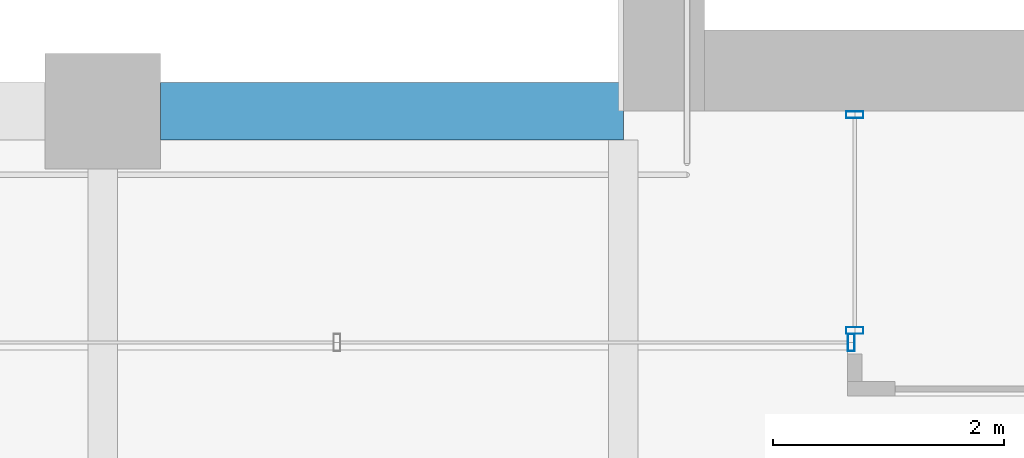
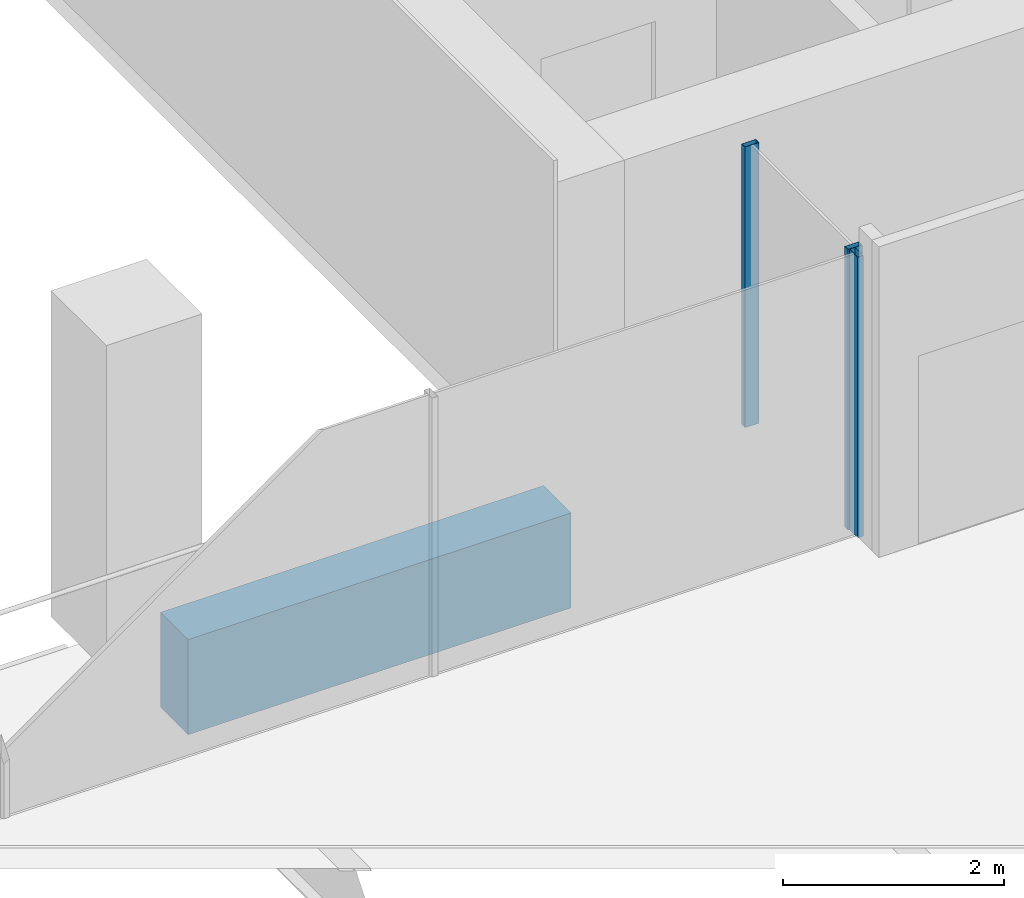
# One storey, part 6 of 46: 3 members, 1 beam, 2 elements without a shape of their own.
"""IFC4 building model written with IfcOpenShell, lengths in metres."""

from ifc_helpers import new_model, si_unit, direction, frame, origin, origin_2d, place, context, subcontext, project, spatial, rectangle, hollow_rectangle, extrude, material, material_profile, profile_set, type_object, element, aggregate, save


model = new_model("IFC4")

# Units and contexts
model_context = context("Model", 3, precision=1e-05, world=origin(), true_north=direction((0.0, 1.0)))
body_context = subcontext(model_context, "Body", "Model", "MODEL_VIEW")
ifc_project = project(units=[si_unit("LENGTHUNIT", "METRE"), si_unit("AREAUNIT", "SQUARE_METRE"), si_unit("VOLUMEUNIT", "CUBIC_METRE"), si_unit("PLANEANGLEUNIT", "RADIAN"), si_unit("MASSUNIT", "GRAM", prefix="KILO")], contexts=[model_context])

# Site, building, storey
site_placement = place(None, origin())
site = spatial("IfcSite", under=ifc_project, at=site_placement, CompositionType="ELEMENT")
building_placement = place(site_placement, origin())
building = spatial("IfcBuilding", under=site, at=building_placement, Name="Altepetl Exchange Towers", CompositionType="ELEMENT")
storey_placement = place(building_placement, frame((0.0, 0.0, 120.800048828125)))
storey = spatial("IfcBuildingStorey", under=building, at=storey_placement, Name="L29", CompositionType="ELEMENT", Elevation=120.800048828125)

# Curtain wall, members
ifc_material_1 = material(Name="Aluminium 6063-T6 glazing", Category="aluminium")
curtain_wall_type = type_object("IfcCurtainWallType", Name="Loggia glazing system", PredefinedType="NOTDEFINED", material=ifc_material_1)
curtain_wall_1_placement = place(storey_placement, origin())
curtain_wall_1 = element("IfcCurtainWall", 1, at=curtain_wall_1_placement, inside=storey, type_object=curtain_wall_type, Name="CW1 run", PredefinedType="NOTDEFINED")
ifc_material_2 = material(Name="Aluminium 6063-T6", Category="aluminium")
ifc_material_profile_1 = material_profile(ifc_material_2, hollow_rectangle(XDim=0.06005859375, YDim=0.14990234375, WallThickness=0.0029296875, at=origin_2d()), Name="Mullion 60x150 aluminium")
ifc_profile_set_1 = profile_set([ifc_material_profile_1], Name="Aluminium 6063-T6")
member_type = type_object("IfcMemberType", Name="Mullion 60x150 aluminium", PredefinedType="MULLION", material=ifc_profile_set_1)
member_1_placement = place(storey_placement, frame((42.5, 40.469970703125, 0.0), z_axis=(0.0, 0.0, 1.0), x_axis=(0.0, -1.0, 0.0)))
member_1 = element("IfcMember", 2, at=member_1_placement, type_object=member_type, Name="MU1 mullion", PredefinedType="MULLION", context=body_context, shape_type="SweptSolid", body=[
    extrude(hollow_rectangle(XDim=0.06005859375, YDim=0.14990234375, WallThickness=0.0029296875, at=origin_2d()), origin(), (0.0, 0.0, 1.0), 3.099853515625),
])
member_2_placement = place(storey_placement, frame((42.5, 38.60498046875, 0.0), z_axis=(0.0, 0.0, 1.0), x_axis=(0.0, -1.0, 0.0)))
member_2 = element("IfcMember", 3, at=member_2_placement, type_object=member_type, Name="MU1 mullion", PredefinedType="MULLION", context=body_context, shape_type="SweptSolid", body=[
    extrude(hollow_rectangle(XDim=0.06005859375, YDim=0.14990234375, WallThickness=0.0029296875, at=origin_2d()), origin(), (0.0, 0.0, 1.0), 3.099853515625),
])
aggregate(curtain_wall_1, [member_1, member_2])

# Curtain wall, member
curtain_wall_2_placement = place(storey_placement, origin())
curtain_wall_2 = element("IfcCurtainWall", 4, at=curtain_wall_2_placement, inside=storey, type_object=curtain_wall_type, Name="CW1 run", PredefinedType="NOTDEFINED")
member_3_placement = place(storey_placement, frame((42.469970703125, 38.5, 0.0), z_axis=(0.0, 0.0, 1.0), x_axis=(-1.0, 0.0, 0.0)))
member_3 = element("IfcMember", 5, at=member_3_placement, type_object=member_type, Name="MU1 mullion", PredefinedType="MULLION", context=body_context, shape_type="SweptSolid", body=[
    extrude(hollow_rectangle(XDim=0.06005859375, YDim=0.14990234375, WallThickness=0.0029296875, at=origin_2d()), origin(), (0.0, 0.0, 1.0), 3.099853515625),
])
aggregate(curtain_wall_2, [member_3])

# Beam
ifc_material_3 = material(Name="Concrete C50/60 precast with tezontle facing", Category="concrete")
ifc_material_profile_2 = material_profile(ifc_material_3, rectangle(XDim=0.5, YDim=1.050048828125, at=origin_2d()), Name="500 x 1050")
ifc_profile_set_2 = profile_set([ifc_material_profile_2], Name="Concrete C50/60 precast with tezontle facing")
beam_type = type_object("IfcBeamType", Name="Spandrel beam 500x1050 tezontle", PredefinedType="SPANDREL", material=ifc_profile_set_2)
beam_placement = place(storey_placement, frame((40.5, 40.5, -0.675048828125), z_axis=(-1.0, 0.0, 0.0), x_axis=(0.0, -1.0, 0.0)))
element("IfcBeam", 6, at=beam_placement, inside=storey, type_object=beam_type, Name="sp:A:L29:033", PredefinedType="SPANDREL", context=body_context, shape_type="SweptSolid", body=[
    extrude(rectangle(XDim=0.5, YDim=1.050048828125, at=origin_2d()), origin(), (0.0, 0.0, 1.0), 4.0),
])

save(model, "model.ifc")
